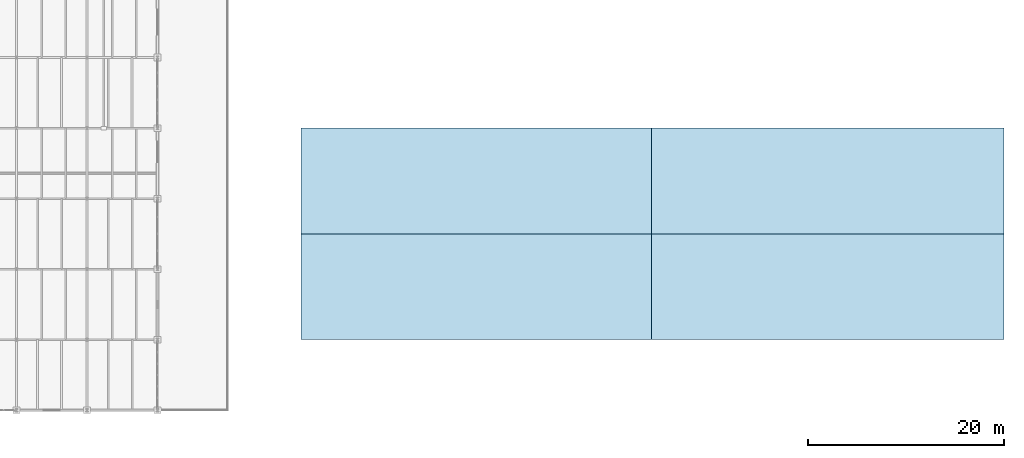
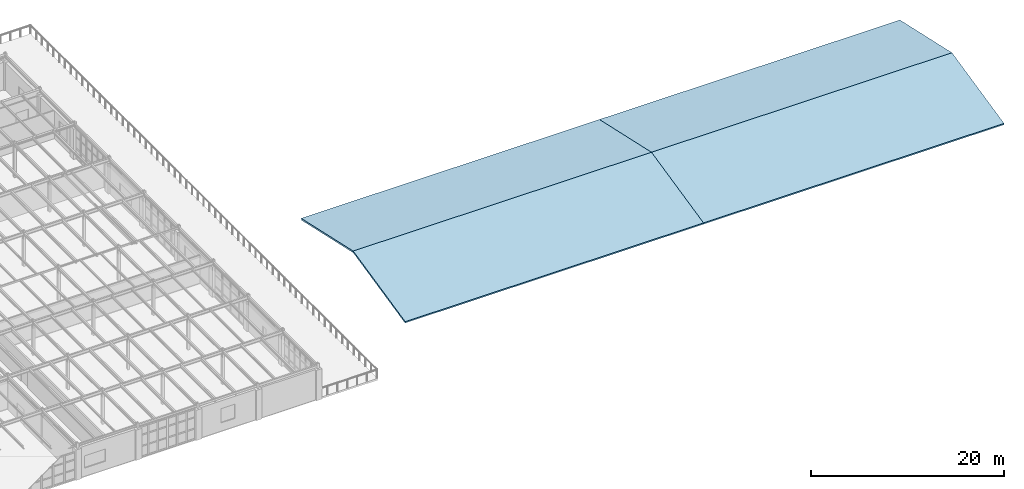
# One storey, part 31 of 36: 4 slabs.
"""IFC4 building model written with IfcOpenShell, lengths in metres."""

from ifc_helpers import new_model, si_unit, direction, frame, origin, place, context, subcontext, project, spatial, polyline, outline, extrude, material, layer, layer_set, type_object, element, save


model = new_model("IFC4")

# Units and contexts
model_context = context("Model", 3, precision=1e-05, world=origin(), true_north=direction((0.0, 1.0)))
body_context = subcontext(model_context, "Body", "Model", "MODEL_VIEW")
ifc_project = project(units=[si_unit("LENGTHUNIT", "METRE"), si_unit("AREAUNIT", "SQUARE_METRE"), si_unit("VOLUMEUNIT", "CUBIC_METRE"), si_unit("PLANEANGLEUNIT", "RADIAN"), si_unit("MASSUNIT", "GRAM", prefix="KILO")], contexts=[model_context])

# Site, building, storey
site_placement = place(None, origin())
site = spatial("IfcSite", under=ifc_project, at=site_placement, CompositionType="ELEMENT")
building_placement = place(site_placement, origin())
building = spatial("IfcBuilding", under=site, at=building_placement, Name="Kemerveld Promenade Tramway Depot", CompositionType="ELEMENT")
storey_placement = place(building_placement, frame((0.0, 0.0, 14.39990234375)))
storey = spatial("IfcBuildingStorey", under=building, at=storey_placement, Name="L03", CompositionType="ELEMENT", Elevation=14.39990234375)

# Slabs
ifc_material = material(Name="Concrete C35/45", Category="concrete")
ifc_layer = layer(ifc_material, 0.2099609375)
ifc_layer_set = layer_set([ifc_layer], Name="SL-RF04")
slab_type = type_object("IfcSlabType", Name="SL-RF04", PredefinedType="ROOF", material=ifc_layer_set)
for number, where, z_axis, x_axis, name in (
    (1, (57.860107421875, 7.199951171875, 0.210205078125), (0.0, -0.216921111677, 0.976189137057), (1.0, 0.0, 0.0), "SLB-RF-V4S-1"),
    (2, (57.860107421875, 18.0, 2.610107421875), (0.0, 0.216921111677, 0.976189137057), (1.0, 0.0, 0.0), "SLB-RF-V4N-1"),
):
    element("IfcSlab", number, at=place(storey_placement, frame(where, z_axis=z_axis, x_axis=x_axis)), inside=storey, type_object=slab_type, Name=name, PredefinedType="ROOF", context=body_context, shape_type="SweptSolid", body=[
        extrude(outline(polyline([(0.0, 0.0), (35.739990234375, 0.0), (35.739990234375, 11.063479830027303), (0.0, 11.063479830027303), (0.0, 0.0)])), origin(), (0.0, 0.0, -1.0), 0.2099609375),
    ])
for number, where, z_axis, x_axis, name in (
    (3, (93.60009765625, 7.199951171875, 0.210205078125), (0.0, -0.216921111677, 0.976189137057), (1.0, 0.0, 0.0), "SLB-RF-V4S-2"),
    (4, (93.60009765625, 18.0, 2.610107421875), (0.0, 0.216921111677, 0.976189137057), (1.0, 0.0, 0.0), "SLB-RF-V4N-2"),
):
    element("IfcSlab", number, at=place(storey_placement, frame(where, z_axis=z_axis, x_axis=x_axis)), inside=storey, type_object=slab_type, Name=name, PredefinedType="ROOF", context=body_context, shape_type="SweptSolid", body=[
        extrude(outline(polyline([(0.0, 0.0), (36.0, 0.0), (36.0, 11.063479830027301), (0.0, 11.063479830027301), (0.0, 0.0)])), origin(), (0.0, 0.0, -1.0), 0.2099609375),
    ])

save(model, "model.ifc")
